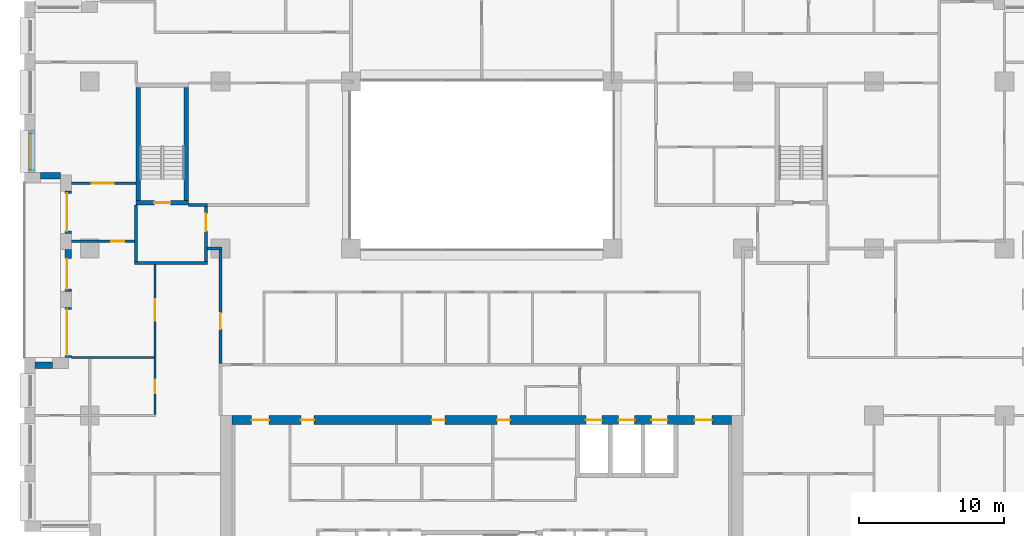
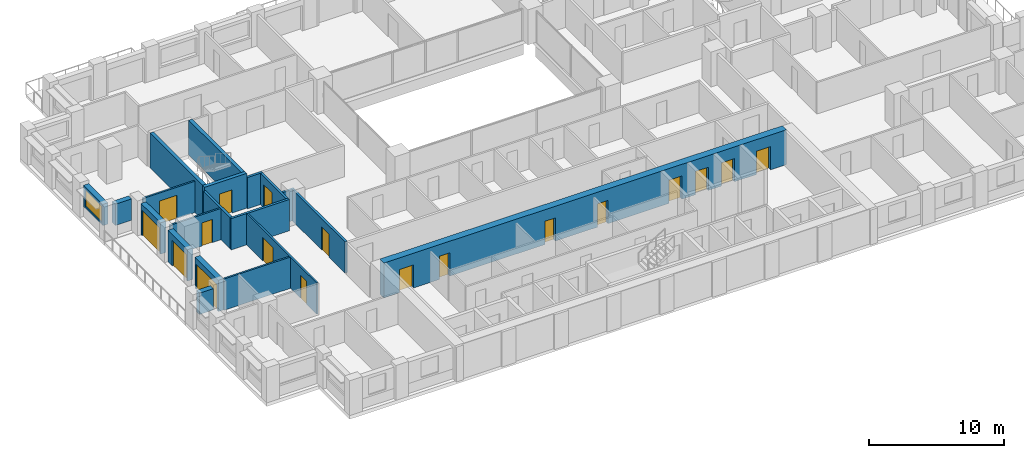
# One storey, part 9 of 16: 20 walls, 18 doors, 1 window, 19 openings.
"""IFC4 building model written with IfcOpenShell, lengths in metres."""

from ifc_helpers import new_model, si_unit, direction, frame, frame_2d, origin, place, context, subcontext, project, spatial, rectangle, extrude, material, layer, layer_set, type_object, element, fill, save


model = new_model("IFC4")

# Units and contexts
model_context = context("Model", 3, precision=1e-05, world=origin(), true_north=direction((0.0, 1.0)))
body_context = subcontext(model_context, "Body", "Model", "MODEL_VIEW")
ifc_project = project(units=[si_unit("LENGTHUNIT", "METRE"), si_unit("AREAUNIT", "SQUARE_METRE"), si_unit("VOLUMEUNIT", "CUBIC_METRE"), si_unit("PLANEANGLEUNIT", "RADIAN"), si_unit("MASSUNIT", "GRAM", prefix="KILO")], contexts=[model_context])

# Site, building, storey
site_placement = place(None, origin())
site = spatial("IfcSite", under=ifc_project, at=site_placement, CompositionType="ELEMENT")
building_placement = place(site_placement, origin())
building = spatial("IfcBuilding", under=site, at=building_placement, Name="Brigalow Station Residences", CompositionType="ELEMENT")
storey_placement = place(building_placement, frame((0.0, 0.0, 102.449951171875)))
storey = spatial("IfcBuildingStorey", under=building, at=storey_placement, Name="L29", CompositionType="ELEMENT", Elevation=102.449951171875)

# Wall, opening, window
ifc_material_1 = material(Name="Clay brick masonry", Category="masonry")
ifc_layer_1 = layer(ifc_material_1, 0.449951171875)
ifc_layer_set_1 = layer_set([ifc_layer_1], Name="BRICK INFILL WALL 450")
wall_type_1 = type_object("IfcWallType", Name="BRICK INFILL WALL 450", PredefinedType="SOLIDWALL", material=ifc_layer_set_1)
wall_1_placement = place(storey_placement, frame((5.02490234375, 32.116943359375, 0.900146484375), z_axis=(0.0, 0.0, 1.0), x_axis=(0.0, -1.0, 0.0)))
wall_1 = element("IfcWall", 1, at=wall_1_placement, inside=storey, type_object=wall_type_1, Name="L29/ewall/W-L29-41", PredefinedType="SOLIDWALL", context=body_context, shape_type="SweptSolid", body=[
    extrude(rectangle(XDim=2.866943359375, YDim=0.449951171875, at=frame_2d((1.43359375, 0.0))), origin(), (0.0, 0.0, 1.0), 1.929931640625),
])
opening_1_placement = place(wall_1_placement, frame((0.18359375, 0.0, 0.14990234375)))
opening_1 = element("IfcOpeningElement", 2, at=opening_1_placement, cuts=wall_1, Name="Opening WT-5", PredefinedType="OPENING", context=body_context, shape_type="SweptSolid", body=[
    extrude(rectangle(XDim=2.5, YDim=1.5, at=frame_2d((1.25, 0.75))), frame((0.0, 0.23486328125, 0.0), z_axis=(0.0, -1.0, 0.0), x_axis=(1.0, 0.0, 0.0)), (0.0, 0.0, 1.0), 0.469970703125),
])
ifc_material_2 = material(Name="Anodised aluminium frame with double glazing", Category="aluminium")
window_type = type_object("IfcWindowType", Name="WINDOW 2500x1500", PartitioningType="SINGLE_PANEL", PredefinedType="WINDOW", material=ifc_material_2)
window_placement = place(opening_1_placement, origin())
window = element("IfcWindow", 3, at=window_placement, inside=storey, type_object=window_type, Name="L29/window/W-L29-41", OverallHeight=1.5, OverallWidth=2.5, PartitioningType="SINGLE_PANEL", PredefinedType="WINDOW", context=body_context, shape_type="SweptSolid", body=[
    extrude(rectangle(XDim=2.5, YDim=1.5, at=frame_2d((1.25, 0.75))), frame((0.0, -0.06494140625, 0.0), z_axis=(0.0, -1.0, 0.0), x_axis=(1.0, 0.0, 0.0)), (0.0, 0.0, 1.0), 0.06005859375),
])
fill(opening_1, window)

# Wall
wall_2_placement = place(storey_placement, frame((5.60009765625, 29.02490234375, 0.900146484375), z_axis=(0.0, 0.0, 1.0), x_axis=(1.0, 0.0, 0.0)))
element("IfcWall", 4, at=wall_2_placement, inside=storey, type_object=wall_type_1, Name="L29/ewall/W-L29-42", PredefinedType="SOLIDWALL", context=body_context, shape_type="SweptSolid", body=[
    extrude(rectangle(XDim=1.39990234375, YDim=0.449951171875, at=frame_2d((0.699951171875, 0.0))), origin(), (0.0, 0.0, 1.0), 1.929931640625),
])

# Wall, opening, door
wall_3_placement = place(storey_placement, frame((7.52490234375, 27.949951171875, 0.0), z_axis=(0.0, 0.0, 1.0), x_axis=(0.0, -1.0, 0.0)))
wall_3 = element("IfcWall", 5, at=wall_3_placement, inside=storey, type_object=wall_type_1, Name="L29/ewall/W-L29-43", PredefinedType="SOLIDWALL", context=body_context, shape_type="SweptSolid", body=[
    extrude(rectangle(XDim=2.89990234375, YDim=0.449951171875, at=frame_2d((1.449951171875, 0.0))), origin(), (0.0, 0.0, 1.0), 2.830078125),
])
opening_2_placement = place(wall_3_placement, frame((0.14990234375, 0.0, 0.0)))
opening_2 = element("IfcOpeningElement", 6, at=opening_2_placement, cuts=wall_3, Name="Opening D-B2600", PredefinedType="OPENING", context=body_context, shape_type="SweptSolid", body=[
    extrude(rectangle(XDim=2.60009765625, YDim=2.300048828125, at=frame_2d((1.300048828125, 1.14990234375))), frame((0.0, 0.23486328125, 0.0), z_axis=(0.0, -1.0, 0.0), x_axis=(1.0, 0.0, 0.0)), (0.0, 0.0, 1.0), 0.469970703125),
])
ifc_material_3 = material(Name="Anodised aluminium frame with double glazing", Category="aluminium")
door_type_1 = type_object("IfcDoorType", Name="BALCONY SLIDING DOOR 2600x2300", OperationType="SLIDING_TO_LEFT", PredefinedType="DOOR", material=ifc_material_3)
door_1_placement = place(opening_2_placement, origin())
door_1 = element("IfcDoor", 7, at=door_1_placement, inside=storey, type_object=door_type_1, Name="L29/balcony-door/W-L29-43", OperationType="SLIDING_TO_LEFT", OverallHeight=2.300048828125, OverallWidth=2.60009765625, PredefinedType="DOOR", context=body_context, shape_type="SweptSolid", body=[
    extrude(rectangle(XDim=2.60009765625, YDim=2.300048828125, at=frame_2d((1.300048828125, 1.14990234375))), frame((0.0, -0.06982421875, 0.0), z_axis=(0.0, -1.0, 0.0), x_axis=(1.0, 0.0, 0.0)), (0.0, 0.0, 1.0), 0.050048828125),
])
fill(opening_2, door_1)

wall_4_placement = place(storey_placement, frame((7.52490234375, 23.949951171875, 0.0), z_axis=(0.0, 0.0, 1.0), x_axis=(0.0, -1.0, 0.0)))
wall_4 = element("IfcWall", 8, at=wall_4_placement, inside=storey, type_object=wall_type_1, Name="L29/ewall/W-L29-44", PredefinedType="SOLIDWALL", context=body_context, shape_type="SweptSolid", body=[
    extrude(rectangle(XDim=2.89990234375, YDim=0.449951171875, at=frame_2d((1.449951171875, 0.0))), origin(), (0.0, 0.0, 1.0), 2.830078125),
])
opening_3_placement = place(wall_4_placement, frame((0.635009765625, 0.0, 0.0)))
opening_3 = element("IfcOpeningElement", 9, at=opening_3_placement, cuts=wall_4, Name="Opening D-B2100", PredefinedType="OPENING", context=body_context, shape_type="SweptSolid", body=[
    extrude(rectangle(XDim=2.10009765625, YDim=2.300048828125, at=frame_2d((1.050048828125, 1.14990234375))), frame((0.0, 0.23486328125, 0.0), z_axis=(0.0, -1.0, 0.0), x_axis=(1.0, 0.0, 0.0)), (0.0, 0.0, 1.0), 0.469970703125),
])
ifc_material_4 = material(Name="Anodised aluminium frame with double glazing", Category="aluminium")
door_type_2 = type_object("IfcDoorType", Name="BALCONY SLIDING DOOR 2100x2300", OperationType="SLIDING_TO_LEFT", PredefinedType="DOOR", material=ifc_material_4)
door_2_placement = place(opening_3_placement, origin())
door_2 = element("IfcDoor", 10, at=door_2_placement, inside=storey, type_object=door_type_2, Name="L29/balcony-door/W-L29-44", OperationType="SLIDING_TO_LEFT", OverallHeight=2.300048828125, OverallWidth=2.10009765625, PredefinedType="DOOR", context=body_context, shape_type="SweptSolid", body=[
    extrude(rectangle(XDim=2.10009765625, YDim=2.300048828125, at=frame_2d((1.050048828125, 1.14990234375))), frame((0.0, -0.06982421875, 0.0), z_axis=(0.0, -1.0, 0.0), x_axis=(1.0, 0.0, 0.0)), (0.0, 0.0, 1.0), 0.050048828125),
])
fill(opening_3, door_2)

wall_5_placement = place(storey_placement, frame((7.52490234375, 19.949951171875, 0.0), z_axis=(0.0, 0.0, 1.0), x_axis=(0.0, -1.0, 0.0)))
wall_5 = element("IfcWall", 11, at=wall_5_placement, inside=storey, type_object=wall_type_1, Name="L29/ewall/W-L29-45", PredefinedType="SOLIDWALL", context=body_context, shape_type="SweptSolid", body=[
    extrude(rectangle(XDim=3.449951171875, YDim=0.449951171875, at=frame_2d((1.72509765625, 0.0))), origin(), (0.0, 0.0, 1.0), 2.830078125),
])
opening_4_placement = place(wall_5_placement, frame((0.14990234375, 0.0, 0.0)))
opening_4 = element("IfcOpeningElement", 12, at=opening_4_placement, cuts=wall_5, Name="Opening D-B3150", PredefinedType="OPENING", context=body_context, shape_type="SweptSolid", body=[
    extrude(rectangle(XDim=3.14990234375, YDim=2.300048828125, at=frame_2d((1.574951171875, 1.14990234375))), frame((0.0, 0.23486328125, 0.0), z_axis=(0.0, -1.0, 0.0), x_axis=(1.0, 0.0, 0.0)), (0.0, 0.0, 1.0), 0.469970703125),
])
ifc_material_5 = material(Name="Anodised aluminium frame with double glazing", Category="aluminium")
door_type_3 = type_object("IfcDoorType", Name="BALCONY SLIDING DOOR 3150x2300", OperationType="SLIDING_TO_LEFT", PredefinedType="DOOR", material=ifc_material_5)
door_3_placement = place(opening_4_placement, origin())
door_3 = element("IfcDoor", 13, at=door_3_placement, inside=storey, type_object=door_type_3, Name="L29/balcony-door/W-L29-45", OperationType="SLIDING_TO_LEFT", OverallHeight=2.300048828125, OverallWidth=3.14990234375, PredefinedType="DOOR", context=body_context, shape_type="SweptSolid", body=[
    extrude(rectangle(XDim=3.14990234375, YDim=2.300048828125, at=frame_2d((1.574951171875, 1.14990234375))), frame((0.0, -0.06982421875, 0.0), z_axis=(0.0, -1.0, 0.0), x_axis=(1.0, 0.0, 0.0)), (0.0, 0.0, 1.0), 0.050048828125),
])
fill(opening_4, door_3)

# Wall
wall_6_placement = place(storey_placement, frame((6.449951171875, 15.97509765625, 0.900146484375), z_axis=(0.0, 0.0, 1.0), x_axis=(-1.0, 0.0, 0.0)))
element("IfcWall", 14, at=wall_6_placement, inside=storey, type_object=wall_type_1, Name="L29/ewall/W-L29-46", PredefinedType="SOLIDWALL", context=body_context, shape_type="SweptSolid", body=[
    extrude(rectangle(XDim=1.199951171875, YDim=0.449951171875, at=frame_2d((0.60009765625, 0.0))), origin(), (0.0, 0.0, 1.0), 1.929931640625),
])

# Wall, opening, door
ifc_material_6 = material(Name="Concrete C65", Category="concrete")
ifc_layer_2 = layer(ifc_material_6, 0.300048828125)
ifc_layer_set_2 = layer_set([ifc_layer_2], Name="CORE SHEAR WALL 300 C65")
wall_type_2 = type_object("IfcWallType", Name="CORE SHEAR WALL 300 C65", PredefinedType="SHEAR", material=ifc_layer_set_2)
wall_7_placement = place(storey_placement, frame((12.199951171875, 27.14990234375, 0.0), z_axis=(0.0, 0.0, 1.0), x_axis=(1.0, 0.0, 0.0)))
wall_7 = element("IfcWall", 15, at=wall_7_placement, inside=storey, type_object=wall_type_2, Name="CORE WALL ST-S1-S L29", PredefinedType="SHEAR", context=body_context, shape_type="SweptSolid", body=[
    extrude(rectangle(XDim=3.60009765625, YDim=0.300048828125, at=frame_2d((1.800048828125, 0.0))), origin(), (0.0, 0.0, 1.0), 3.150146484375),
])
opening_5_placement = place(wall_7_placement, frame((1.25, 0.0, 0.0)))
opening_5 = element("IfcOpeningElement", 16, at=opening_5_placement, cuts=wall_7, Name="Opening D-5015", PredefinedType="OPENING", context=body_context, shape_type="SweptSolid", body=[
    extrude(rectangle(XDim=1.10009765625, YDim=2.10009765625, at=frame_2d((0.550048828125, 1.050048828125))), frame((0.0, 0.16015625, 0.0), z_axis=(0.0, -1.0, 0.0), x_axis=(1.0, 0.0, 0.0)), (0.0, 0.0, 1.0), 0.320068359375),
])
ifc_material_7 = material(Name="Steel fire door leaf in steel frame", Category="steel")
door_type_4 = type_object("IfcDoorType", Name="STAIR DOOR 1100 x 2100 FD60S", OperationType="SINGLE_SWING_LEFT", PredefinedType="DOOR", material=ifc_material_7)
door_4_placement = place(opening_5_placement, origin())
door_4 = element("IfcDoor", 17, at=door_4_placement, inside=storey, type_object=door_type_4, Name="D-5015", OperationType="SINGLE_SWING_LEFT", OverallHeight=2.10009765625, OverallWidth=1.10009765625, PredefinedType="DOOR", context=body_context, shape_type="SweptSolid", body=[
    extrude(rectangle(XDim=1.10009765625, YDim=2.10009765625, at=frame_2d((0.550048828125, 1.050048828125))), frame((0.0, 0.02490234375, 0.0), z_axis=(0.0, -1.0, 0.0), x_axis=(1.0, 0.0, 0.0)), (0.0, 0.0, 1.0), 0.050048828125),
])
fill(opening_5, door_4)

# Walls
for number, where, z_axis, x_axis, name in (
    (18, (12.35009765625, 27.300048828125, 0.0), (0.0, 0.0, 1.0), (0.0, 1.0, 0.0), "CORE WALL ST-S1-W L29"),
    (19, (15.64990234375, 27.300048828125, 0.0), (0.0, 0.0, 1.0), (0.0, 1.0, 0.0), "CORE WALL ST-S1-E L29"),
):
    element("IfcWall", number, at=place(storey_placement, frame(where, z_axis=z_axis, x_axis=x_axis)), inside=storey, type_object=wall_type_2, Name=name, PredefinedType="SHEAR", context=body_context, shape_type="SweptSolid", body=[
        extrude(rectangle(XDim=7.800048828125, YDim=0.300048828125, at=frame_2d((3.89990234375, 0.0))), origin(), (0.0, 0.0, 1.0), 3.150146484375),
    ])

# Wall, openings, doors
ifc_material_8 = material(Name="Concrete C65", Category="concrete")
ifc_layer_3 = layer(ifc_material_8, 0.60009765625)
ifc_layer_set_3 = layer_set([ifc_layer_3], Name="CORE SHEAR WALL 600 C65")
wall_type_3 = type_object("IfcWallType", Name="CORE SHEAR WALL 600 C65", PredefinedType="SHEAR", material=ifc_layer_set_3)
wall_8_placement = place(storey_placement, frame((18.800048828125, 12.199951171875, 0.0), z_axis=(0.0, 0.0, 1.0), x_axis=(1.0, 0.0, 0.0)))
wall_8 = element("IfcWall", 20, at=wall_8_placement, inside=storey, type_object=wall_type_3, Name="CORE WALL OUT-N L29", PredefinedType="SHEAR", context=body_context, shape_type="SweptSolid", body=[
    extrude(rectangle(XDim=34.39990234375, YDim=0.60009765625, at=frame_2d((17.199951171875, 0.0))), origin(), (0.0, 0.0, 1.0), 3.150146484375),
])
opening_6_placement = place(wall_8_placement, frame((24.375, 0.0, 0.0)))
opening_6 = element("IfcOpeningElement", 21, at=opening_6_placement, cuts=wall_8, Name="Opening LD-LF1", PredefinedType="OPENING", context=body_context, shape_type="SweptSolid", body=[
    extrude(rectangle(XDim=1.10009765625, YDim=2.10009765625, at=frame_2d((0.550048828125, 1.050048828125))), frame((0.0, 0.31005859375, 0.0), z_axis=(0.0, -1.0, 0.0), x_axis=(1.0, 0.0, 0.0)), (0.0, 0.0, 1.0), 0.6201171875),
])
opening_7_placement = place(wall_8_placement, frame((26.625, 0.0, 0.0)))
opening_7 = element("IfcOpeningElement", 22, at=opening_7_placement, cuts=wall_8, Name="Opening LD-LF2", PredefinedType="OPENING", context=body_context, shape_type="SweptSolid", body=[
    extrude(rectangle(XDim=1.10009765625, YDim=2.10009765625, at=frame_2d((0.550048828125, 1.050048828125))), frame((0.0, 0.31005859375, 0.0), z_axis=(0.0, -1.0, 0.0), x_axis=(1.0, 0.0, 0.0)), (0.0, 0.0, 1.0), 0.6201171875),
])
opening_8_placement = place(wall_8_placement, frame((28.875, 0.0, 0.0)))
opening_8 = element("IfcOpeningElement", 23, at=opening_8_placement, cuts=wall_8, Name="Opening LD-LG1", PredefinedType="OPENING", context=body_context, shape_type="SweptSolid", body=[
    extrude(rectangle(XDim=1.10009765625, YDim=2.10009765625, at=frame_2d((0.550048828125, 1.050048828125))), frame((0.0, 0.31005859375, 0.0), z_axis=(0.0, -1.0, 0.0), x_axis=(1.0, 0.0, 0.0)), (0.0, 0.0, 1.0), 0.6201171875),
])
opening_9_placement = place(wall_8_placement, frame((4.75, 0.0, 0.0)))
opening_9 = element("IfcOpeningElement", 24, at=opening_9_placement, cuts=wall_8, Name="Opening D-5118", PredefinedType="OPENING", context=body_context, shape_type="SweptSolid", body=[
    extrude(rectangle(XDim=0.89990234375, YDim=2.10009765625, at=frame_2d((0.449951171875, 1.050048828125))), frame((0.0, 0.31005859375, 0.0), z_axis=(0.0, -1.0, 0.0), x_axis=(1.0, 0.0, 0.0)), (0.0, 0.0, 1.0), 0.6201171875),
])
opening_10_placement = place(wall_8_placement, frame((13.75, 0.0, 0.0)))
opening_10 = element("IfcOpeningElement", 25, at=opening_10_placement, cuts=wall_8, Name="Opening D-5120", PredefinedType="OPENING", context=body_context, shape_type="SweptSolid", body=[
    extrude(rectangle(XDim=0.89990234375, YDim=2.10009765625, at=frame_2d((0.449951171875, 1.050048828125))), frame((0.0, 0.31005859375, 0.0), z_axis=(0.0, -1.0, 0.0), x_axis=(1.0, 0.0, 0.0)), (0.0, 0.0, 1.0), 0.6201171875),
])
opening_11_placement = place(wall_8_placement, frame((18.25, 0.0, 0.0)))
opening_11 = element("IfcOpeningElement", 26, at=opening_11_placement, cuts=wall_8, Name="Opening D-5119", PredefinedType="OPENING", context=body_context, shape_type="SweptSolid", body=[
    extrude(rectangle(XDim=0.89990234375, YDim=2.10009765625, at=frame_2d((0.449951171875, 1.050048828125))), frame((0.0, 0.31005859375, 0.0), z_axis=(0.0, -1.0, 0.0), x_axis=(1.0, 0.0, 0.0)), (0.0, 0.0, 1.0), 0.6201171875),
])
opening_12_placement = place(wall_8_placement, frame((1.35009765625, 0.0, 0.0)))
opening_12 = element("IfcOpeningElement", 27, at=opening_12_placement, cuts=wall_8, Name="Opening D-5011", PredefinedType="OPENING", context=body_context, shape_type="SweptSolid", body=[
    extrude(rectangle(XDim=1.199951171875, YDim=2.10009765625, at=frame_2d((0.60009765625, 1.050048828125))), frame((0.0, 0.31005859375, 0.0), z_axis=(0.0, -1.0, 0.0), x_axis=(1.0, 0.0, 0.0)), (0.0, 0.0, 1.0), 0.6201171875),
])
opening_13_placement = place(wall_8_placement, frame((31.85009765625, 0.0, 0.0)))
opening_13 = element("IfcOpeningElement", 28, at=opening_13_placement, cuts=wall_8, Name="Opening D-5012", PredefinedType="OPENING", context=body_context, shape_type="SweptSolid", body=[
    extrude(rectangle(XDim=1.199951171875, YDim=2.10009765625, at=frame_2d((0.60009765625, 1.050048828125))), frame((0.0, 0.31005859375, 0.0), z_axis=(0.0, -1.0, 0.0), x_axis=(1.0, 0.0, 0.0)), (0.0, 0.0, 1.0), 0.6201171875),
])
ifc_material_9 = material(Name="Steel fire door leaf in steel frame", Category="steel")
door_type_5 = type_object("IfcDoorType", Name="CORE CORRIDOR DOOR 1200 x 2100 FD60S", OperationType="SINGLE_SWING_LEFT", PredefinedType="DOOR", material=ifc_material_9)
door_5_placement = place(opening_12_placement, frame((1.199951171875, 0.0, 0.0), z_axis=(0.0, 0.0, 1.0), x_axis=(-1.0, 0.0, 0.0)))
door_5 = element("IfcDoor", 29, at=door_5_placement, inside=storey, type_object=door_type_5, Name="D-5011", OperationType="SINGLE_SWING_LEFT", OverallHeight=2.10009765625, OverallWidth=1.199951171875, PredefinedType="DOOR", context=body_context, shape_type="SweptSolid", body=[
    extrude(rectangle(XDim=1.199951171875, YDim=2.10009765625, at=frame_2d((0.60009765625, 1.050048828125))), frame((0.0, 0.02490234375, 0.0), z_axis=(0.0, -1.0, 0.0), x_axis=(1.0, 0.0, 0.0)), (0.0, 0.0, 1.0), 0.050048828125),
])
fill(opening_12, door_5)
door_6_placement = place(opening_13_placement, frame((1.199951171875, 0.0, 0.0), z_axis=(0.0, 0.0, 1.0), x_axis=(-1.0, 0.0, 0.0)))
door_6 = element("IfcDoor", 30, at=door_6_placement, inside=storey, type_object=door_type_5, Name="D-5012", OperationType="SINGLE_SWING_RIGHT", OverallHeight=2.10009765625, OverallWidth=1.199951171875, PredefinedType="DOOR", context=body_context, shape_type="SweptSolid", body=[
    extrude(rectangle(XDim=1.199951171875, YDim=2.10009765625, at=frame_2d((0.60009765625, 1.050048828125))), frame((0.0, 0.02490234375, 0.0), z_axis=(0.0, -1.0, 0.0), x_axis=(1.0, 0.0, 0.0)), (0.0, 0.0, 1.0), 0.050048828125),
])
fill(opening_13, door_6)
ifc_material_10 = material(Name="Stainless steel sliding door leaves", Category="steel")
door_type_6 = type_object("IfcDoorType", Name="LIFT LANDING DOOR 1100 x 2100", OperationType="DOUBLE_DOOR_SLIDING", PredefinedType="DOOR", material=ifc_material_10)
door_7_placement = place(opening_6_placement, origin())
door_7 = element("IfcDoor", 31, at=door_7_placement, inside=storey, type_object=door_type_6, Name="LANDING DOOR LF1", OperationType="DOUBLE_DOOR_SLIDING", OverallHeight=2.10009765625, OverallWidth=1.10009765625, PredefinedType="DOOR", context=body_context, shape_type="SweptSolid", body=[
    extrude(rectangle(XDim=1.10009765625, YDim=2.10009765625, at=frame_2d((0.550048828125, 1.050048828125))), frame((0.0, 0.02490234375, 0.0), z_axis=(0.0, -1.0, 0.0), x_axis=(1.0, 0.0, 0.0)), (0.0, 0.0, 1.0), 0.050048828125),
])
fill(opening_6, door_7)
door_8_placement = place(opening_7_placement, origin())
door_8 = element("IfcDoor", 32, at=door_8_placement, inside=storey, type_object=door_type_6, Name="LANDING DOOR LF2", OperationType="DOUBLE_DOOR_SLIDING", OverallHeight=2.10009765625, OverallWidth=1.10009765625, PredefinedType="DOOR", context=body_context, shape_type="SweptSolid", body=[
    extrude(rectangle(XDim=1.10009765625, YDim=2.10009765625, at=frame_2d((0.550048828125, 1.050048828125))), frame((0.0, 0.02490234375, 0.0), z_axis=(0.0, -1.0, 0.0), x_axis=(1.0, 0.0, 0.0)), (0.0, 0.0, 1.0), 0.050048828125),
])
fill(opening_7, door_8)
door_9_placement = place(opening_8_placement, origin())
door_9 = element("IfcDoor", 33, at=door_9_placement, inside=storey, type_object=door_type_6, Name="LANDING DOOR LG1", OperationType="DOUBLE_DOOR_SLIDING", OverallHeight=2.10009765625, OverallWidth=1.10009765625, PredefinedType="DOOR", context=body_context, shape_type="SweptSolid", body=[
    extrude(rectangle(XDim=1.10009765625, YDim=2.10009765625, at=frame_2d((0.550048828125, 1.050048828125))), frame((0.0, 0.02490234375, 0.0), z_axis=(0.0, -1.0, 0.0), x_axis=(1.0, 0.0, 0.0)), (0.0, 0.0, 1.0), 0.050048828125),
])
fill(opening_8, door_9)
ifc_material_11 = material(Name="Steel door leaf in steel frame", Category="steel")
door_type_7 = type_object("IfcDoorType", Name="SERVICE ROOM DOOR 900 x 2100 FD60", OperationType="SINGLE_SWING_LEFT", PredefinedType="DOOR", material=ifc_material_11)
door_10_placement = place(opening_9_placement, frame((0.89990234375, 0.0, 0.0), z_axis=(0.0, 0.0, 1.0), x_axis=(-1.0, 0.0, 0.0)))
door_10 = element("IfcDoor", 34, at=door_10_placement, inside=storey, type_object=door_type_7, Name="D-5118", OperationType="SINGLE_SWING_RIGHT", OverallHeight=2.10009765625, OverallWidth=0.89990234375, PredefinedType="DOOR", context=body_context, shape_type="SweptSolid", body=[
    extrude(rectangle(XDim=0.89990234375, YDim=2.10009765625, at=frame_2d((0.449951171875, 1.050048828125))), frame((0.0, 0.02490234375, 0.0), z_axis=(0.0, -1.0, 0.0), x_axis=(1.0, 0.0, 0.0)), (0.0, 0.0, 1.0), 0.050048828125),
])
fill(opening_9, door_10)
door_11_placement = place(opening_10_placement, frame((0.89990234375, 0.0, 0.0), z_axis=(0.0, 0.0, 1.0), x_axis=(-1.0, 0.0, 0.0)))
door_11 = element("IfcDoor", 35, at=door_11_placement, inside=storey, type_object=door_type_7, Name="D-5120", OperationType="SINGLE_SWING_RIGHT", OverallHeight=2.10009765625, OverallWidth=0.89990234375, PredefinedType="DOOR", context=body_context, shape_type="SweptSolid", body=[
    extrude(rectangle(XDim=0.89990234375, YDim=2.10009765625, at=frame_2d((0.449951171875, 1.050048828125))), frame((0.0, 0.02490234375, 0.0), z_axis=(0.0, -1.0, 0.0), x_axis=(1.0, 0.0, 0.0)), (0.0, 0.0, 1.0), 0.050048828125),
])
fill(opening_10, door_11)
door_12_placement = place(opening_11_placement, frame((0.89990234375, 0.0, 0.0), z_axis=(0.0, 0.0, 1.0), x_axis=(-1.0, 0.0, 0.0)))
door_12 = element("IfcDoor", 36, at=door_12_placement, inside=storey, type_object=door_type_7, Name="D-5119", OperationType="SINGLE_SWING_RIGHT", OverallHeight=2.10009765625, OverallWidth=0.89990234375, PredefinedType="DOOR", context=body_context, shape_type="SweptSolid", body=[
    extrude(rectangle(XDim=0.89990234375, YDim=2.10009765625, at=frame_2d((0.449951171875, 1.050048828125))), frame((0.0, 0.02490234375, 0.0), z_axis=(0.0, -1.0, 0.0), x_axis=(1.0, 0.0, 0.0)), (0.0, 0.0, 1.0), 0.050048828125),
])
fill(opening_11, door_12)

# Walls
ifc_material_12 = material(Name="Concrete blockwork", Category="masonry")
ifc_layer_4 = layer(ifc_material_12, 0.199951171875)
ifc_layer_set_4 = layer_set([ifc_layer_4], Name="FIRE RATED CORE PARTITION 200")
wall_type_4 = type_object("IfcWallType", Name="FIRE RATED CORE PARTITION 200", PredefinedType="PARTITIONING", material=ifc_layer_set_4)
wall_9_placement = place(storey_placement, frame((12.10009765625, 23.0, 0.0), z_axis=(0.0, 0.0, 1.0), x_axis=(1.0, 0.0, 0.0)))
element("IfcWall", 37, at=wall_9_placement, inside=storey, type_object=wall_type_4, Name="PW-5023", PredefinedType="PARTITIONING", context=body_context, shape_type="SweptSolid", body=[
    extrude(rectangle(XDim=5.0, YDim=0.199951171875, at=frame_2d((2.5, 0.0))), origin(), (0.0, 0.0, 1.0), 2.830078125),
])
wall_10_placement = place(storey_placement, frame((15.800048828125, 27.0, 0.0), z_axis=(0.0, 0.0, 1.0), x_axis=(1.0, 0.0, 0.0)))
element("IfcWall", 38, at=wall_10_placement, inside=storey, type_object=wall_type_4, Name="PW-5025", PredefinedType="PARTITIONING", context=body_context, shape_type="SweptSolid", body=[
    extrude(rectangle(XDim=1.300048828125, YDim=0.199951171875, at=frame_2d((0.64990234375, 0.0))), origin(), (0.0, 0.0, 1.0), 2.830078125),
])
wall_11_placement = place(storey_placement, frame((12.199951171875, 23.10009765625, 0.0), z_axis=(0.0, 0.0, 1.0), x_axis=(0.0, 1.0, 0.0)))
element("IfcWall", 39, at=wall_11_placement, inside=storey, type_object=wall_type_4, Name="PW-5034", PredefinedType="PARTITIONING", context=body_context, shape_type="SweptSolid", body=[
    extrude(rectangle(XDim=3.89990234375, YDim=0.199951171875, at=frame_2d((1.949951171875, 0.0))), origin(), (0.0, 0.0, 1.0), 2.830078125),
])

# Wall, opening, door
wall_12_placement = place(storey_placement, frame((17.0, 23.10009765625, 0.0), z_axis=(0.0, 0.0, 1.0), x_axis=(0.0, 1.0, 0.0)))
wall_12 = element("IfcWall", 40, at=wall_12_placement, inside=storey, type_object=wall_type_4, Name="PW-5035", PredefinedType="PARTITIONING", context=body_context, shape_type="SweptSolid", body=[
    extrude(rectangle(XDim=3.7998046875, YDim=0.199951171875, at=frame_2d((1.89990234375, 0.0))), origin(), (0.0, 0.0, 1.0), 2.830078125),
])
opening_14_placement = place(wall_12_placement, frame((2.10009765625, 0.0, 0.0)))
opening_14 = element("IfcOpeningElement", 41, at=opening_14_placement, cuts=wall_12, Name="Opening D-5016", PredefinedType="OPENING", context=body_context, shape_type="SweptSolid", body=[
    extrude(rectangle(XDim=1.199951171875, YDim=2.10009765625, at=frame_2d((0.60009765625, 1.050048828125))), frame((0.0, 0.10986328125, 0.0), z_axis=(0.0, -1.0, 0.0), x_axis=(1.0, 0.0, 0.0)), (0.0, 0.0, 1.0), 0.219970703125),
])
ifc_material_13 = material(Name="Steel fire door leaf in steel frame", Category="steel")
door_type_8 = type_object("IfcDoorType", Name="STAIR LOBBY DOOR 1200 x 2100 FD60S", OperationType="SINGLE_SWING_LEFT", PredefinedType="DOOR", material=ifc_material_13)
door_13_placement = place(opening_14_placement, origin())
door_13 = element("IfcDoor", 42, at=door_13_placement, inside=storey, type_object=door_type_8, Name="D-5016", OperationType="SINGLE_SWING_RIGHT", OverallHeight=2.10009765625, OverallWidth=1.199951171875, PredefinedType="DOOR", context=body_context, shape_type="SweptSolid", body=[
    extrude(rectangle(XDim=1.199951171875, YDim=2.10009765625, at=frame_2d((0.60009765625, 1.050048828125))), frame((0.0, 0.02490234375, 0.0), z_axis=(0.0, -1.0, 0.0), x_axis=(1.0, 0.0, 0.0)), (0.0, 0.0, 1.0), 0.050048828125),
])
fill(opening_14, door_13)

# Wall
ifc_material_14 = material(Name="Plasterboard on steel stud partition", Category="steel")
ifc_layer_5 = layer(ifc_material_14, 0.14990234375)
ifc_layer_set_5 = layer_set([ifc_layer_5], Name="FLAT PARTITION 150")
wall_type_5 = type_object("IfcWallType", Name="FLAT PARTITION 150", PredefinedType="PARTITIONING", material=ifc_layer_set_5)
wall_13_placement = place(storey_placement, frame((7.75, 16.5, 0.0), z_axis=(0.0, 0.0, 1.0), x_axis=(1.0, 0.0, 0.0)))
element("IfcWall", 43, at=wall_13_placement, inside=storey, type_object=wall_type_5, Name="PW-2C13", PredefinedType="PARTITIONING", context=body_context, shape_type="SweptSolid", body=[
    extrude(rectangle(XDim=5.675048828125, YDim=0.14990234375, at=frame_2d((2.83740234375, 0.0))), origin(), (0.0, 0.0, 1.0), 2.830078125),
])

# Wall, opening, door
wall_14_placement = place(storey_placement, frame((7.75, 24.5, 0.0), z_axis=(0.0, 0.0, 1.0), x_axis=(1.0, 0.0, 0.0)))
wall_14 = element("IfcWall", 44, at=wall_14_placement, inside=storey, type_object=wall_type_5, Name="PW-2C17", PredefinedType="PARTITIONING", context=body_context, shape_type="SweptSolid", body=[
    extrude(rectangle(XDim=4.35009765625, YDim=0.14990234375, at=frame_2d((2.175048828125, 0.0))), origin(), (0.0, 0.0, 1.0), 2.830078125),
])
opening_15_placement = place(wall_14_placement, frame((2.72509765625, 0.0, 0.0)))
opening_15 = element("IfcOpeningElement", 45, at=opening_15_placement, cuts=wall_14, Name="Opening D-2C10", PredefinedType="OPENING", context=body_context, shape_type="SweptSolid", body=[
    extrude(rectangle(XDim=0.89990234375, YDim=2.10009765625, at=frame_2d((0.449951171875, 1.050048828125))), frame((0.0, 0.0849609375, 0.0), z_axis=(0.0, -1.0, 0.0), x_axis=(1.0, 0.0, 0.0)), (0.0, 0.0, 1.0), 0.169921875),
])
ifc_material_15 = material(Name="Solid-core timber door leaf", Category="wood")
door_type_9 = type_object("IfcDoorType", Name="INTERNAL DOOR 900 x 2100", OperationType="SINGLE_SWING_LEFT", PredefinedType="DOOR", material=ifc_material_15)
door_14_placement = place(opening_15_placement, origin())
door_14 = element("IfcDoor", 46, at=door_14_placement, inside=storey, type_object=door_type_9, Name="D-2C10", OperationType="SINGLE_SWING_RIGHT", OverallHeight=2.10009765625, OverallWidth=0.89990234375, PredefinedType="DOOR", context=body_context, shape_type="SweptSolid", body=[
    extrude(rectangle(XDim=0.89990234375, YDim=2.10009765625, at=frame_2d((0.449951171875, 1.050048828125))), frame((0.0, 0.02490234375, 0.0), z_axis=(0.0, -1.0, 0.0), x_axis=(1.0, 0.0, 0.0)), (0.0, 0.0, 1.0), 0.050048828125),
])
fill(opening_15, door_14)

wall_15_placement = place(storey_placement, frame((7.75, 28.5, 0.0), z_axis=(0.0, 0.0, 1.0), x_axis=(1.0, 0.0, 0.0)))
wall_15 = element("IfcWall", 47, at=wall_15_placement, inside=storey, type_object=wall_type_5, Name="PW-2C20", PredefinedType="PARTITIONING", context=body_context, shape_type="SweptSolid", body=[
    extrude(rectangle(XDim=4.449951171875, YDim=0.14990234375, at=frame_2d((2.22509765625, 0.0))), origin(), (0.0, 0.0, 1.0), 2.830078125),
])
opening_16_placement = place(wall_15_placement, frame((1.39990234375, 0.0, 0.0)))
opening_16 = element("IfcOpeningElement", 48, at=opening_16_placement, cuts=wall_15, Name="Opening D-2C11", PredefinedType="OPENING", context=body_context, shape_type="SweptSolid", body=[
    extrude(rectangle(XDim=1.5, YDim=2.10009765625, at=frame_2d((0.75, 1.050048828125))), frame((0.0, 0.0849609375, 0.0), z_axis=(0.0, -1.0, 0.0), x_axis=(1.0, 0.0, 0.0)), (0.0, 0.0, 1.0), 0.169921875),
])
ifc_material_16 = material(Name="Solid-core timber door leaf", Category="wood")
door_type_10 = type_object("IfcDoorType", Name="INTERNAL DOUBLE DOOR 1500 x 2100", OperationType="DOUBLE_DOOR_SINGLE_SWING", PredefinedType="DOOR", material=ifc_material_16)
door_15_placement = place(opening_16_placement, frame((1.5, 0.0, 0.0), z_axis=(0.0, 0.0, 1.0), x_axis=(-1.0, 0.0, 0.0)))
door_15 = element("IfcDoor", 49, at=door_15_placement, inside=storey, type_object=door_type_10, Name="D-2C11", OperationType="DOUBLE_DOOR_SINGLE_SWING", OverallHeight=2.10009765625, OverallWidth=1.5, PredefinedType="DOOR", context=body_context, shape_type="SweptSolid", body=[
    extrude(rectangle(XDim=1.5, YDim=2.10009765625, at=frame_2d((0.75, 1.050048828125))), frame((0.0, 0.02490234375, 0.0), z_axis=(0.0, -1.0, 0.0), x_axis=(1.0, 0.0, 0.0)), (0.0, 0.0, 1.0), 0.050048828125),
])
fill(opening_16, door_15)

# Wall, openings, doors
wall_16_placement = place(storey_placement, frame((13.5, 12.574951171875, 0.0), z_axis=(0.0, 0.0, 1.0), x_axis=(0.0, 1.0, 0.0)))
wall_16 = element("IfcWall", 50, at=wall_16_placement, inside=storey, type_object=wall_type_5, Name="PW-2C47", PredefinedType="PARTITIONING", context=body_context, shape_type="SweptSolid", body=[
    extrude(rectangle(XDim=10.324951171875, YDim=0.14990234375, at=frame_2d((5.16259765625, 0.0))), origin(), (0.0, 0.0, 1.0), 2.830078125),
])
opening_17_placement = place(wall_16_placement, frame((1.47509765625, 0.0, 0.0)))
opening_17 = element("IfcOpeningElement", 51, at=opening_17_placement, cuts=wall_16, Name="Opening D-2C08", PredefinedType="OPENING", context=body_context, shape_type="SweptSolid", body=[
    extrude(rectangle(XDim=0.89990234375, YDim=2.10009765625, at=frame_2d((0.449951171875, 1.050048828125))), frame((0.0, 0.0849609375, 0.0), z_axis=(0.0, -1.0, 0.0), x_axis=(1.0, 0.0, 0.0)), (0.0, 0.0, 1.0), 0.169921875),
])
opening_18_placement = place(wall_16_placement, frame((6.449951171875, 0.0, 0.0)))
opening_18 = element("IfcOpeningElement", 52, at=opening_18_placement, cuts=wall_16, Name="Opening D-2C09", PredefinedType="OPENING", context=body_context, shape_type="SweptSolid", body=[
    extrude(rectangle(XDim=1.5, YDim=2.10009765625, at=frame_2d((0.75, 1.050048828125))), frame((0.0, 0.0849609375, 0.0), z_axis=(0.0, -1.0, 0.0), x_axis=(1.0, 0.0, 0.0)), (0.0, 0.0, 1.0), 0.169921875),
])
door_16_placement = place(opening_17_placement, origin())
door_16 = element("IfcDoor", 53, at=door_16_placement, inside=storey, type_object=door_type_9, Name="D-2C08", OperationType="SINGLE_SWING_RIGHT", OverallHeight=2.10009765625, OverallWidth=0.89990234375, PredefinedType="DOOR", context=body_context, shape_type="SweptSolid", body=[
    extrude(rectangle(XDim=0.89990234375, YDim=2.10009765625, at=frame_2d((0.449951171875, 1.050048828125))), frame((0.0, 0.02490234375, 0.0), z_axis=(0.0, -1.0, 0.0), x_axis=(1.0, 0.0, 0.0)), (0.0, 0.0, 1.0), 0.050048828125),
])
fill(opening_17, door_16)
door_17_placement = place(opening_18_placement, origin())
door_17 = element("IfcDoor", 54, at=door_17_placement, inside=storey, type_object=door_type_10, Name="D-2C09", OperationType="DOUBLE_DOOR_SINGLE_SWING", OverallHeight=2.10009765625, OverallWidth=1.5, PredefinedType="DOOR", context=body_context, shape_type="SweptSolid", body=[
    extrude(rectangle(XDim=1.5, YDim=2.10009765625, at=frame_2d((0.75, 1.050048828125))), frame((0.0, 0.02490234375, 0.0), z_axis=(0.0, -1.0, 0.0), x_axis=(1.0, 0.0, 0.0)), (0.0, 0.0, 1.0), 0.050048828125),
])
fill(opening_18, door_17)

# Wall
ifc_material_17 = material(Name="Plasterboard on steel stud partition", Category="steel")
ifc_layer_6 = layer(ifc_material_17, 0.199951171875)
ifc_layer_set_6 = layer_set([ifc_layer_6], Name="PARTY AND CORRIDOR WALL 200")
wall_type_6 = type_object("IfcWallType", Name="PARTY AND CORRIDOR WALL 200", PredefinedType="PARTITIONING", material=ifc_layer_set_6)
wall_17_placement = place(storey_placement, frame((17.10009765625, 24.0, 0.0), z_axis=(0.0, 0.0, 1.0), x_axis=(1.0, 0.0, 0.0)))
element("IfcWall", 55, at=wall_17_placement, inside=storey, type_object=wall_type_6, Name="PW-2C02", PredefinedType="PARTITIONING", context=body_context, shape_type="SweptSolid", body=[
    extrude(rectangle(XDim=1.0, YDim=0.199951171875, at=frame_2d((0.5, 0.0))), origin(), (0.0, 0.0, 1.0), 2.830078125),
])

# Wall, opening, door
wall_18_placement = place(storey_placement, frame((18.0, 16.10009765625, 0.0), z_axis=(0.0, 0.0, 1.0), x_axis=(0.0, 1.0, 0.0)))
wall_18 = element("IfcWall", 56, at=wall_18_placement, inside=storey, type_object=wall_type_6, Name="PW-2C36", PredefinedType="PARTITIONING", context=body_context, shape_type="SweptSolid", body=[
    extrude(rectangle(XDim=7.7998046875, YDim=0.199951171875, at=frame_2d((3.89990234375, 0.0))), origin(), (0.0, 0.0, 1.0), 2.830078125),
])
opening_19_placement = place(wall_18_placement, frame((2.35009765625, 0.0, 0.0)))
opening_19 = element("IfcOpeningElement", 57, at=opening_19_placement, cuts=wall_18, Name="Opening D-2C03", PredefinedType="OPENING", context=body_context, shape_type="SweptSolid", body=[
    extrude(rectangle(XDim=1.10009765625, YDim=2.10009765625, at=frame_2d((0.550048828125, 1.050048828125))), frame((0.0, 0.10986328125, 0.0), z_axis=(0.0, -1.0, 0.0), x_axis=(1.0, 0.0, 0.0)), (0.0, 0.0, 1.0), 0.219970703125),
])
ifc_material_18 = material(Name="Solid-core timber door leaf", Category="wood")
door_type_11 = type_object("IfcDoorType", Name="FLAT ENTRANCE DOOR 1100 x 2100 FRL -/60/30", OperationType="SINGLE_SWING_LEFT", PredefinedType="DOOR", material=ifc_material_18)
door_18_placement = place(opening_19_placement, origin())
door_18 = element("IfcDoor", 58, at=door_18_placement, inside=storey, type_object=door_type_11, Name="D-2C03", OperationType="SINGLE_SWING_RIGHT", OverallHeight=2.10009765625, OverallWidth=1.10009765625, PredefinedType="DOOR", context=body_context, shape_type="SweptSolid", body=[
    extrude(rectangle(XDim=1.10009765625, YDim=2.10009765625, at=frame_2d((0.550048828125, 1.050048828125))), frame((0.0, 0.02490234375, 0.0), z_axis=(0.0, -1.0, 0.0), x_axis=(1.0, 0.0, 0.0)), (0.0, 0.0, 1.0), 0.050048828125),
])
fill(opening_19, door_18)

save(model, "model.ifc")
